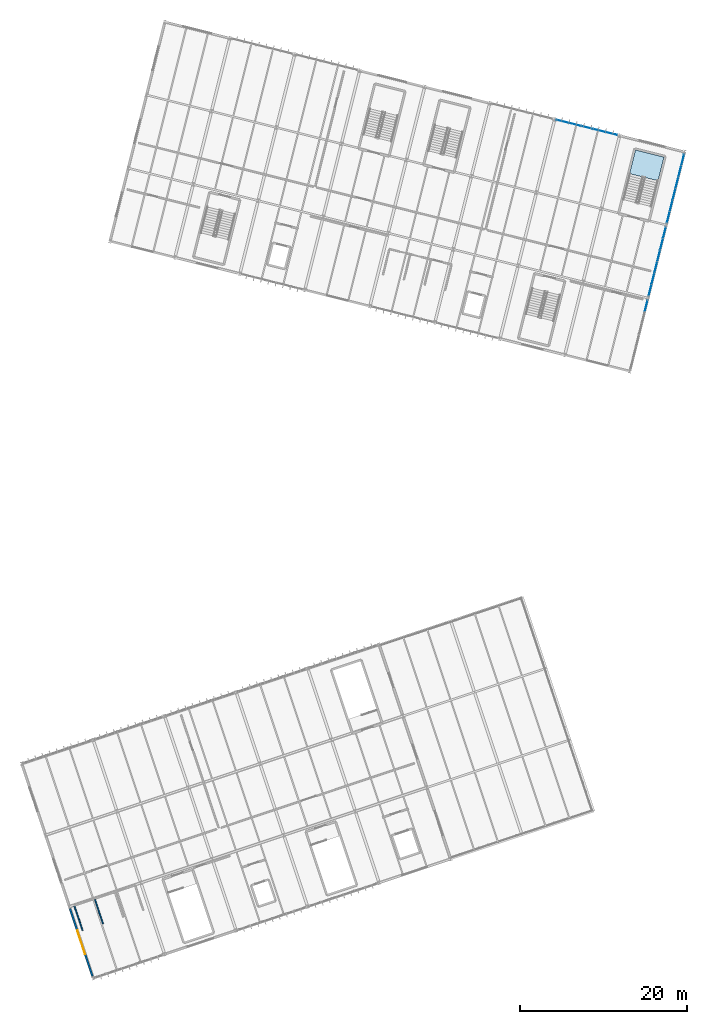
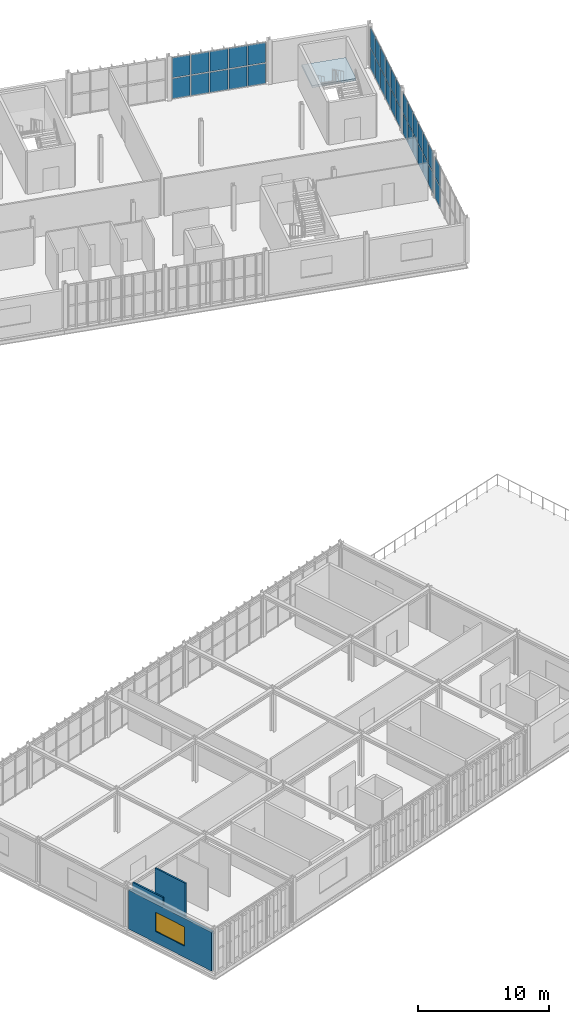
# One storey, part 43 of 61: 36 plates, 3 walls, 1 slab, 1 window, 1 opening, 5 elements without a shape of their own.
"""IFC4 building model written with IfcOpenShell, lengths in metres."""

from ifc_helpers import new_model, si_unit, derived_unit, direction, frame, frame_2d, origin, origin_2d, place, context, subcontext, project, spatial, polyline, rectangle, outline, extrude, material, layer, layer_set, type_object, element, fill, aggregate, save


model = new_model("IFC4")

# Units and contexts
model_context = context("Model", 3, precision=1e-05, world=origin(), true_north=direction((0.0, 1.0)))
body_context = subcontext(model_context, "Body", "Model", "MODEL_VIEW")
ifc_project = project(units=[si_unit("LENGTHUNIT", "METRE"), si_unit("AREAUNIT", "SQUARE_METRE"), si_unit("VOLUMEUNIT", "CUBIC_METRE"), si_unit("PLANEANGLEUNIT", "RADIAN"), si_unit("MASSUNIT", "GRAM", prefix="KILO"), si_unit("THERMODYNAMICTEMPERATUREUNIT", "KELVIN"), si_unit("TIMEUNIT", "SECOND"), derived_unit("THERMALTRANSMITTANCEUNIT", [(si_unit("MASSUNIT", "GRAM", prefix="KILO"), 1), (si_unit("THERMODYNAMICTEMPERATUREUNIT", "KELVIN"), -1), (si_unit("TIMEUNIT", "SECOND"), -3)])], contexts=[model_context])

# Site, building, storey
site_placement = place(None, origin())
site = spatial("IfcSite", under=ifc_project, at=site_placement, CompositionType="ELEMENT")
building_placement = place(site_placement, origin())
building = spatial("IfcBuilding", under=site, at=building_placement, Name="Cambertide Market Hall", CompositionType="ELEMENT")
storey_placement = place(building_placement, frame((0.0, 0.0, 9.89990234375)))
storey = spatial("IfcBuildingStorey", under=building, at=storey_placement, Name="L03", CompositionType="ELEMENT", Elevation=9.89990234375)

# Stair, slab
ifc_material_1 = material(Name="Concrete B35", Category="concrete")
stair_type = type_object("IfcStairType", Name="Concrete Dogleg Stair ST-08B", PredefinedType="HALF_TURN_STAIR", material=ifc_material_1)
stair_placement = place(storey_placement, origin())
stair = element("IfcStair", 1, at=stair_placement, inside=storey, type_object=stair_type, Name="Level 3 Exit Stair Core 08B", PredefinedType="HALF_TURN_STAIR")
ifc_material_2 = material(Name="Concrete B35", Category="concrete")
ifc_layer_1 = layer(ifc_material_2, 0.199951171875, Name="Concrete Stair Half-Landing 200")
ifc_layer_set_1 = layer_set([ifc_layer_1], Name="Concrete B35")
slab_type = type_object("IfcSlabType", Name="Concrete Stair Half-Landing 200", PredefinedType="LANDING", material=ifc_layer_set_1)
slab_placement = place(storey_placement, frame((0.0, 0.0, 1.900146484375)))
slab = element("IfcSlab", 2, at=slab_placement, type_object=slab_type, Name="ST-08B landing 1", PredefinedType="LANDING", context=body_context, shape_type="SweptSolid", body=[
    extrude(outline(polyline([(173.45703125, 107.22607421875), (174.163818359375, 110.05322265625), (170.768310546875, 110.90185546875), (170.0615234375, 108.074951171875), (173.45703125, 107.22607421875)])), origin(), (0.0, 0.0, 1.0), 0.199951171875),
])
aggregate(stair, [slab])

# Curtain wall, plates
ifc_material_3 = material(Name="Marine Anodized Aluminium 6063-T6 AA25", Category="aluminium")
curtain_wall_type = type_object("IfcCurtainWallType", Name="Cooking School Classroom Curtain Wall", PredefinedType="USERDEFINED", material=ifc_material_3)
curtain_wall_1_placement = place(storey_placement, origin())
curtain_wall_1 = element("IfcCurtainWall", 3, at=curtain_wall_1_placement, inside=storey, type_object=curtain_wall_type, Name="Level 3 Curtain Wall CW-V4N-L03-7", ObjectType="UNITIZED CURTAIN WALL", PredefinedType="USERDEFINED")
ifc_material_4 = material(Name="Low-E Laminated Insulated Glass", Category="glass")
ifc_layer_2 = layer(ifc_material_4, 0.028076171875, Name="Vision Insulated Glazing Panel 28")
ifc_layer_set_2 = layer_set([ifc_layer_2], Name="Low-E Laminated Insulated Glass")
plate_type = type_object("IfcPlateType", Name="Vision Insulated Glazing Panel 28", PredefinedType="CURTAIN_PANEL", material=ifc_layer_set_2)
plate_1_placement = place(storey_placement, frame((162.07763671875, 114.3115234375, 0.0400390625), z_axis=(0.0, 0.0, 1.0), x_axis=(0.970142500145, -0.242535625038, 0.0)))
plate_1 = element("IfcPlate", 4, at=plate_1_placement, type_object=plate_type, Name="CW-V4N-L03-7 Glazing Panel 1-1", PredefinedType="CURTAIN_PANEL", context=body_context, shape_type="SweptSolid", body=[
    extrude(rectangle(XDim=1.424072265625, YDim=0.028076171875, at=origin_2d()), origin(), (0.0, 0.0, 1.0), 1.8798828125),
])
plate_2_placement = place(storey_placement, frame((163.536865234375, 113.94677734375, 0.0400390625), z_axis=(0.0, 0.0, 1.0), x_axis=(0.970142500145, -0.242535625038, 0.0)))
plate_2 = element("IfcPlate", 5, at=plate_2_placement, type_object=plate_type, Name="CW-V4N-L03-7 Glazing Panel 1-2", PredefinedType="CURTAIN_PANEL", context=body_context, shape_type="SweptSolid", body=[
    extrude(rectangle(XDim=1.424072265625, YDim=0.028076171875, at=origin_2d()), origin(), (0.0, 0.0, 1.0), 1.8798828125),
])
plate_3_placement = place(storey_placement, frame((164.995849609375, 113.58203125, 0.0400390625), z_axis=(0.0, 0.0, 1.0), x_axis=(0.970142500145, -0.242535625038, 0.0)))
plate_3 = element("IfcPlate", 6, at=plate_3_placement, type_object=plate_type, Name="CW-V4N-L03-7 Glazing Panel 1-3", PredefinedType="CURTAIN_PANEL", context=body_context, shape_type="SweptSolid", body=[
    extrude(rectangle(XDim=1.424072265625, YDim=0.028076171875, at=origin_2d()), origin(), (0.0, 0.0, 1.0), 1.8798828125),
])
plate_4_placement = place(storey_placement, frame((166.455078125, 113.21728515625, 0.0400390625), z_axis=(0.0, 0.0, 1.0), x_axis=(0.970142500145, -0.242535625038, 0.0)))
plate_4 = element("IfcPlate", 7, at=plate_4_placement, type_object=plate_type, Name="CW-V4N-L03-7 Glazing Panel 1-4", PredefinedType="CURTAIN_PANEL", context=body_context, shape_type="SweptSolid", body=[
    extrude(rectangle(XDim=1.424072265625, YDim=0.028076171875, at=origin_2d()), origin(), (0.0, 0.0, 1.0), 1.8798828125),
])
plate_5_placement = place(storey_placement, frame((167.9140625, 112.8525390625, 0.0400390625), z_axis=(0.0, 0.0, 1.0), x_axis=(0.970142500145, -0.242535625038, 0.0)))
plate_5 = element("IfcPlate", 8, at=plate_5_placement, type_object=plate_type, Name="CW-V4N-L03-7 Glazing Panel 1-5", PredefinedType="CURTAIN_PANEL", context=body_context, shape_type="SweptSolid", body=[
    extrude(rectangle(XDim=1.424072265625, YDim=0.028076171875, at=origin_2d()), origin(), (0.0, 0.0, 1.0), 1.8798828125),
])
plate_6_placement = place(storey_placement, frame((162.07763671875, 114.3115234375, 2.000244140625), z_axis=(0.0, 0.0, 1.0), x_axis=(0.970142500145, -0.242535625038, 0.0)))
plate_6 = element("IfcPlate", 9, at=plate_6_placement, type_object=plate_type, Name="CW-V4N-L03-7 Glazing Panel 2-1", PredefinedType="CURTAIN_PANEL", context=body_context, shape_type="SweptSolid", body=[
    extrude(rectangle(XDim=1.424072265625, YDim=0.028076171875, at=origin_2d()), origin(), (0.0, 0.0, 1.0), 1.8798828125),
])
plate_7_placement = place(storey_placement, frame((163.536865234375, 113.94677734375, 2.000244140625), z_axis=(0.0, 0.0, 1.0), x_axis=(0.970142500145, -0.242535625038, 0.0)))
plate_7 = element("IfcPlate", 10, at=plate_7_placement, type_object=plate_type, Name="CW-V4N-L03-7 Glazing Panel 2-2", PredefinedType="CURTAIN_PANEL", context=body_context, shape_type="SweptSolid", body=[
    extrude(rectangle(XDim=1.424072265625, YDim=0.028076171875, at=origin_2d()), origin(), (0.0, 0.0, 1.0), 1.8798828125),
])
plate_8_placement = place(storey_placement, frame((164.995849609375, 113.58203125, 2.000244140625), z_axis=(0.0, 0.0, 1.0), x_axis=(0.970142500145, -0.242535625038, 0.0)))
plate_8 = element("IfcPlate", 11, at=plate_8_placement, type_object=plate_type, Name="CW-V4N-L03-7 Glazing Panel 2-3", PredefinedType="CURTAIN_PANEL", context=body_context, shape_type="SweptSolid", body=[
    extrude(rectangle(XDim=1.424072265625, YDim=0.028076171875, at=origin_2d()), origin(), (0.0, 0.0, 1.0), 1.8798828125),
])
plate_9_placement = place(storey_placement, frame((166.455078125, 113.21728515625, 2.000244140625), z_axis=(0.0, 0.0, 1.0), x_axis=(0.970142500145, -0.242535625038, 0.0)))
plate_9 = element("IfcPlate", 12, at=plate_9_placement, type_object=plate_type, Name="CW-V4N-L03-7 Glazing Panel 2-4", PredefinedType="CURTAIN_PANEL", context=body_context, shape_type="SweptSolid", body=[
    extrude(rectangle(XDim=1.424072265625, YDim=0.028076171875, at=origin_2d()), origin(), (0.0, 0.0, 1.0), 1.8798828125),
])
plate_10_placement = place(storey_placement, frame((167.9140625, 112.8525390625, 2.000244140625), z_axis=(0.0, 0.0, 1.0), x_axis=(0.970142500145, -0.242535625038, 0.0)))
plate_10 = element("IfcPlate", 13, at=plate_10_placement, type_object=plate_type, Name="CW-V4N-L03-7 Glazing Panel 2-5", PredefinedType="CURTAIN_PANEL", context=body_context, shape_type="SweptSolid", body=[
    extrude(rectangle(XDim=1.424072265625, YDim=0.028076171875, at=origin_2d()), origin(), (0.0, 0.0, 1.0), 1.8798828125),
])
aggregate(curtain_wall_1, [plate_1, plate_2, plate_3, plate_4, plate_5, plate_6, plate_7, plate_8, plate_9, plate_10])

curtain_wall_2_placement = place(storey_placement, origin())
curtain_wall_2 = element("IfcCurtainWall", 14, at=curtain_wall_2_placement, inside=storey, type_object=curtain_wall_type, Name="Level 3 Curtain Wall CW-V4E-L03-1", ObjectType="UNITIZED CURTAIN WALL", PredefinedType="USERDEFINED")
plate_11_placement = place(storey_placement, frame((172.04150390625, 92.287353515625, 0.0400390625), z_axis=(0.0, 0.0, 1.0), x_axis=(-0.242535569805, -0.970142513953, 0.0)))
plate_11 = element("IfcPlate", 15, at=plate_11_placement, type_object=plate_type, Name="CW-V4E-L03-1 Glazing Panel 1-1", PredefinedType="CURTAIN_PANEL", context=body_context, shape_type="SweptSolid", body=[
    extrude(rectangle(XDim=1.340087890625, YDim=0.028076171875, at=origin_2d()), origin(), (0.0, 0.0, 1.0), 1.8798828125),
])
plate_12_placement = place(storey_placement, frame((172.04150390625, 92.287353515625, 2.000244140625), z_axis=(0.0, 0.0, 1.0), x_axis=(-0.242535569805, -0.970142513953, 0.0)))
plate_12 = element("IfcPlate", 16, at=plate_12_placement, type_object=plate_type, Name="CW-V4E-L03-1 Glazing Panel 2-1", PredefinedType="CURTAIN_PANEL", context=body_context, shape_type="SweptSolid", body=[
    extrude(rectangle(XDim=1.340087890625, YDim=0.028076171875, at=origin_2d()), origin(), (0.0, 0.0, 1.0), 1.8798828125),
])
aggregate(curtain_wall_2, [plate_11, plate_12])

curtain_wall_3_placement = place(storey_placement, origin())
curtain_wall_3 = element("IfcCurtainWall", 17, at=curtain_wall_3_placement, inside=storey, type_object=curtain_wall_type, Name="Level 3 Curtain Wall CW-V4E-L03-2", ObjectType="UNITIZED CURTAIN WALL", PredefinedType="USERDEFINED")
plate_13_placement = place(storey_placement, frame((174.224365234375, 101.0185546875, 0.0400390625), z_axis=(0.0, 0.0, 1.0), x_axis=(-0.24253568027, -0.970142486337, 0.0)))
plate_13 = element("IfcPlate", 18, at=plate_13_placement, type_object=plate_type, Name="CW-V4E-L03-2 Glazing Panel 1-1", PredefinedType="CURTAIN_PANEL", context=body_context, shape_type="SweptSolid", body=[
    extrude(rectangle(XDim=1.340087890625, YDim=0.028076171875, at=origin_2d()), origin(), (0.0, 0.0, 1.0), 1.8798828125),
])
plate_14_placement = place(storey_placement, frame((173.8798828125, 99.64111328125, 0.0400390625), z_axis=(0.0, 0.0, 1.0), x_axis=(-0.24253568027, -0.970142486337, 0.0)))
plate_14 = element("IfcPlate", 19, at=plate_14_placement, type_object=plate_type, Name="CW-V4E-L03-2 Glazing Panel 1-2", PredefinedType="CURTAIN_PANEL", context=body_context, shape_type="SweptSolid", body=[
    extrude(rectangle(XDim=1.340087890625, YDim=0.028076171875, at=origin_2d()), origin(), (0.0, 0.0, 1.0), 1.8798828125),
])
plate_15_placement = place(storey_placement, frame((173.53564453125, 98.263427734375, 0.0400390625), z_axis=(0.0, 0.0, 1.0), x_axis=(-0.24253568027, -0.970142486337, 0.0)))
plate_15 = element("IfcPlate", 20, at=plate_15_placement, type_object=plate_type, Name="CW-V4E-L03-2 Glazing Panel 1-3", PredefinedType="CURTAIN_PANEL", context=body_context, shape_type="SweptSolid", body=[
    extrude(rectangle(XDim=1.340087890625, YDim=0.028076171875, at=origin_2d()), origin(), (0.0, 0.0, 1.0), 1.8798828125),
])
plate_16_placement = place(storey_placement, frame((173.191162109375, 96.8857421875, 0.0400390625), z_axis=(0.0, 0.0, 1.0), x_axis=(-0.24253568027, -0.970142486337, 0.0)))
plate_16 = element("IfcPlate", 21, at=plate_16_placement, type_object=plate_type, Name="CW-V4E-L03-2 Glazing Panel 1-4", PredefinedType="CURTAIN_PANEL", context=body_context, shape_type="SweptSolid", body=[
    extrude(rectangle(XDim=1.340087890625, YDim=0.028076171875, at=origin_2d()), origin(), (0.0, 0.0, 1.0), 1.8798828125),
])
plate_17_placement = place(storey_placement, frame((172.8466796875, 95.50830078125, 0.0400390625), z_axis=(0.0, 0.0, 1.0), x_axis=(-0.24253568027, -0.970142486337, 0.0)))
plate_17 = element("IfcPlate", 22, at=plate_17_placement, type_object=plate_type, Name="CW-V4E-L03-2 Glazing Panel 1-5", PredefinedType="CURTAIN_PANEL", context=body_context, shape_type="SweptSolid", body=[
    extrude(rectangle(XDim=1.340087890625, YDim=0.028076171875, at=origin_2d()), origin(), (0.0, 0.0, 1.0), 1.8798828125),
])
plate_18_placement = place(storey_placement, frame((172.50244140625, 94.130615234375, 0.0400390625), z_axis=(0.0, 0.0, 1.0), x_axis=(-0.24253568027, -0.970142486337, 0.0)))
plate_18 = element("IfcPlate", 23, at=plate_18_placement, type_object=plate_type, Name="CW-V4E-L03-2 Glazing Panel 1-6", PredefinedType="CURTAIN_PANEL", context=body_context, shape_type="SweptSolid", body=[
    extrude(rectangle(XDim=1.340087890625, YDim=0.028076171875, at=origin_2d()), origin(), (0.0, 0.0, 1.0), 1.8798828125),
])
plate_19_placement = place(storey_placement, frame((174.224365234375, 101.0185546875, 2.000244140625), z_axis=(0.0, 0.0, 1.0), x_axis=(-0.24253568027, -0.970142486337, 0.0)))
plate_19 = element("IfcPlate", 24, at=plate_19_placement, type_object=plate_type, Name="CW-V4E-L03-2 Glazing Panel 2-1", PredefinedType="CURTAIN_PANEL", context=body_context, shape_type="SweptSolid", body=[
    extrude(rectangle(XDim=1.340087890625, YDim=0.028076171875, at=origin_2d()), origin(), (0.0, 0.0, 1.0), 1.8798828125),
])
plate_20_placement = place(storey_placement, frame((173.8798828125, 99.64111328125, 2.000244140625), z_axis=(0.0, 0.0, 1.0), x_axis=(-0.24253568027, -0.970142486337, 0.0)))
plate_20 = element("IfcPlate", 25, at=plate_20_placement, type_object=plate_type, Name="CW-V4E-L03-2 Glazing Panel 2-2", PredefinedType="CURTAIN_PANEL", context=body_context, shape_type="SweptSolid", body=[
    extrude(rectangle(XDim=1.340087890625, YDim=0.028076171875, at=origin_2d()), origin(), (0.0, 0.0, 1.0), 1.8798828125),
])
plate_21_placement = place(storey_placement, frame((173.53564453125, 98.263427734375, 2.000244140625), z_axis=(0.0, 0.0, 1.0), x_axis=(-0.24253568027, -0.970142486337, 0.0)))
plate_21 = element("IfcPlate", 26, at=plate_21_placement, type_object=plate_type, Name="CW-V4E-L03-2 Glazing Panel 2-3", PredefinedType="CURTAIN_PANEL", context=body_context, shape_type="SweptSolid", body=[
    extrude(rectangle(XDim=1.340087890625, YDim=0.028076171875, at=origin_2d()), origin(), (0.0, 0.0, 1.0), 1.8798828125),
])
plate_22_placement = place(storey_placement, frame((173.191162109375, 96.8857421875, 2.000244140625), z_axis=(0.0, 0.0, 1.0), x_axis=(-0.24253568027, -0.970142486337, 0.0)))
plate_22 = element("IfcPlate", 27, at=plate_22_placement, type_object=plate_type, Name="CW-V4E-L03-2 Glazing Panel 2-4", PredefinedType="CURTAIN_PANEL", context=body_context, shape_type="SweptSolid", body=[
    extrude(rectangle(XDim=1.340087890625, YDim=0.028076171875, at=origin_2d()), origin(), (0.0, 0.0, 1.0), 1.8798828125),
])
plate_23_placement = place(storey_placement, frame((172.8466796875, 95.50830078125, 2.000244140625), z_axis=(0.0, 0.0, 1.0), x_axis=(-0.24253568027, -0.970142486337, 0.0)))
plate_23 = element("IfcPlate", 28, at=plate_23_placement, type_object=plate_type, Name="CW-V4E-L03-2 Glazing Panel 2-5", PredefinedType="CURTAIN_PANEL", context=body_context, shape_type="SweptSolid", body=[
    extrude(rectangle(XDim=1.340087890625, YDim=0.028076171875, at=origin_2d()), origin(), (0.0, 0.0, 1.0), 1.8798828125),
])
plate_24_placement = place(storey_placement, frame((172.50244140625, 94.130615234375, 2.000244140625), z_axis=(0.0, 0.0, 1.0), x_axis=(-0.24253568027, -0.970142486337, 0.0)))
plate_24 = element("IfcPlate", 29, at=plate_24_placement, type_object=plate_type, Name="CW-V4E-L03-2 Glazing Panel 2-6", PredefinedType="CURTAIN_PANEL", context=body_context, shape_type="SweptSolid", body=[
    extrude(rectangle(XDim=1.340087890625, YDim=0.028076171875, at=origin_2d()), origin(), (0.0, 0.0, 1.0), 1.8798828125),
])
aggregate(curtain_wall_3, [plate_13, plate_14, plate_15, plate_16, plate_17, plate_18, plate_19, plate_20, plate_21, plate_22, plate_23, plate_24])

curtain_wall_4_placement = place(storey_placement, origin())
curtain_wall_4 = element("IfcCurtainWall", 30, at=curtain_wall_4_placement, inside=storey, type_object=curtain_wall_type, Name="Level 3 Curtain Wall CW-V4E-L03-3", ObjectType="UNITIZED CURTAIN WALL", PredefinedType="USERDEFINED")
plate_25_placement = place(storey_placement, frame((176.4072265625, 109.75, 0.0400390625), z_axis=(0.0, 0.0, 1.0), x_axis=(-0.242535569805, -0.970142513953, 0.0)))
plate_25 = element("IfcPlate", 31, at=plate_25_placement, type_object=plate_type, Name="CW-V4E-L03-3 Glazing Panel 1-1", PredefinedType="CURTAIN_PANEL", context=body_context, shape_type="SweptSolid", body=[
    extrude(rectangle(XDim=1.340087890625, YDim=0.028076171875, at=origin_2d()), origin(), (0.0, 0.0, 1.0), 1.8798828125),
])
plate_26_placement = place(storey_placement, frame((176.062744140625, 108.372314453125, 0.0400390625), z_axis=(0.0, 0.0, 1.0), x_axis=(-0.242535569805, -0.970142513953, 0.0)))
plate_26 = element("IfcPlate", 32, at=plate_26_placement, type_object=plate_type, Name="CW-V4E-L03-3 Glazing Panel 1-2", PredefinedType="CURTAIN_PANEL", context=body_context, shape_type="SweptSolid", body=[
    extrude(rectangle(XDim=1.340087890625, YDim=0.028076171875, at=origin_2d()), origin(), (0.0, 0.0, 1.0), 1.8798828125),
])
plate_27_placement = place(storey_placement, frame((175.71826171875, 106.99462890625, 0.0400390625), z_axis=(0.0, 0.0, 1.0), x_axis=(-0.242535569805, -0.970142513953, 0.0)))
plate_27 = element("IfcPlate", 33, at=plate_27_placement, type_object=plate_type, Name="CW-V4E-L03-3 Glazing Panel 1-3", PredefinedType="CURTAIN_PANEL", context=body_context, shape_type="SweptSolid", body=[
    extrude(rectangle(XDim=1.340087890625, YDim=0.028076171875, at=origin_2d()), origin(), (0.0, 0.0, 1.0), 1.8798828125),
])
plate_28_placement = place(storey_placement, frame((175.3740234375, 105.6171875, 0.0400390625), z_axis=(0.0, 0.0, 1.0), x_axis=(-0.242535569805, -0.970142513953, 0.0)))
plate_28 = element("IfcPlate", 34, at=plate_28_placement, type_object=plate_type, Name="CW-V4E-L03-3 Glazing Panel 1-4", PredefinedType="CURTAIN_PANEL", context=body_context, shape_type="SweptSolid", body=[
    extrude(rectangle(XDim=1.340087890625, YDim=0.028076171875, at=origin_2d()), origin(), (0.0, 0.0, 1.0), 1.8798828125),
])
plate_29_placement = place(storey_placement, frame((175.029541015625, 104.239501953125, 0.0400390625), z_axis=(0.0, 0.0, 1.0), x_axis=(-0.242535569805, -0.970142513953, 0.0)))
plate_29 = element("IfcPlate", 35, at=plate_29_placement, type_object=plate_type, Name="CW-V4E-L03-3 Glazing Panel 1-5", PredefinedType="CURTAIN_PANEL", context=body_context, shape_type="SweptSolid", body=[
    extrude(rectangle(XDim=1.340087890625, YDim=0.028076171875, at=origin_2d()), origin(), (0.0, 0.0, 1.0), 1.8798828125),
])
plate_30_placement = place(storey_placement, frame((174.68505859375, 102.86181640625, 0.0400390625), z_axis=(0.0, 0.0, 1.0), x_axis=(-0.242535569805, -0.970142513953, 0.0)))
plate_30 = element("IfcPlate", 36, at=plate_30_placement, type_object=plate_type, Name="CW-V4E-L03-3 Glazing Panel 1-6", PredefinedType="CURTAIN_PANEL", context=body_context, shape_type="SweptSolid", body=[
    extrude(rectangle(XDim=1.340087890625, YDim=0.028076171875, at=origin_2d()), origin(), (0.0, 0.0, 1.0), 1.8798828125),
])
plate_31_placement = place(storey_placement, frame((176.4072265625, 109.75, 2.000244140625), z_axis=(0.0, 0.0, 1.0), x_axis=(-0.242535569805, -0.970142513953, 0.0)))
plate_31 = element("IfcPlate", 37, at=plate_31_placement, type_object=plate_type, Name="CW-V4E-L03-3 Glazing Panel 2-1", PredefinedType="CURTAIN_PANEL", context=body_context, shape_type="SweptSolid", body=[
    extrude(rectangle(XDim=1.340087890625, YDim=0.028076171875, at=origin_2d()), origin(), (0.0, 0.0, 1.0), 1.8798828125),
])
plate_32_placement = place(storey_placement, frame((176.062744140625, 108.372314453125, 2.000244140625), z_axis=(0.0, 0.0, 1.0), x_axis=(-0.242535569805, -0.970142513953, 0.0)))
plate_32 = element("IfcPlate", 38, at=plate_32_placement, type_object=plate_type, Name="CW-V4E-L03-3 Glazing Panel 2-2", PredefinedType="CURTAIN_PANEL", context=body_context, shape_type="SweptSolid", body=[
    extrude(rectangle(XDim=1.340087890625, YDim=0.028076171875, at=origin_2d()), origin(), (0.0, 0.0, 1.0), 1.8798828125),
])
plate_33_placement = place(storey_placement, frame((175.71826171875, 106.99462890625, 2.000244140625), z_axis=(0.0, 0.0, 1.0), x_axis=(-0.242535569805, -0.970142513953, 0.0)))
plate_33 = element("IfcPlate", 39, at=plate_33_placement, type_object=plate_type, Name="CW-V4E-L03-3 Glazing Panel 2-3", PredefinedType="CURTAIN_PANEL", context=body_context, shape_type="SweptSolid", body=[
    extrude(rectangle(XDim=1.340087890625, YDim=0.028076171875, at=origin_2d()), origin(), (0.0, 0.0, 1.0), 1.8798828125),
])
plate_34_placement = place(storey_placement, frame((175.3740234375, 105.6171875, 2.000244140625), z_axis=(0.0, 0.0, 1.0), x_axis=(-0.242535569805, -0.970142513953, 0.0)))
plate_34 = element("IfcPlate", 40, at=plate_34_placement, type_object=plate_type, Name="CW-V4E-L03-3 Glazing Panel 2-4", PredefinedType="CURTAIN_PANEL", context=body_context, shape_type="SweptSolid", body=[
    extrude(rectangle(XDim=1.340087890625, YDim=0.028076171875, at=origin_2d()), origin(), (0.0, 0.0, 1.0), 1.8798828125),
])
plate_35_placement = place(storey_placement, frame((175.029541015625, 104.239501953125, 2.000244140625), z_axis=(0.0, 0.0, 1.0), x_axis=(-0.242535569805, -0.970142513953, 0.0)))
plate_35 = element("IfcPlate", 41, at=plate_35_placement, type_object=plate_type, Name="CW-V4E-L03-3 Glazing Panel 2-5", PredefinedType="CURTAIN_PANEL", context=body_context, shape_type="SweptSolid", body=[
    extrude(rectangle(XDim=1.340087890625, YDim=0.028076171875, at=origin_2d()), origin(), (0.0, 0.0, 1.0), 1.8798828125),
])
plate_36_placement = place(storey_placement, frame((174.68505859375, 102.86181640625, 2.000244140625), z_axis=(0.0, 0.0, 1.0), x_axis=(-0.242535569805, -0.970142513953, 0.0)))
plate_36 = element("IfcPlate", 42, at=plate_36_placement, type_object=plate_type, Name="CW-V4E-L03-3 Glazing Panel 2-6", PredefinedType="CURTAIN_PANEL", context=body_context, shape_type="SweptSolid", body=[
    extrude(rectangle(XDim=1.340087890625, YDim=0.028076171875, at=origin_2d()), origin(), (0.0, 0.0, 1.0), 1.8798828125),
])
aggregate(curtain_wall_4, [plate_25, plate_26, plate_27, plate_28, plate_29, plate_30, plate_31, plate_32, plate_33, plate_34, plate_35, plate_36])

# Wall, opening, window
ifc_material_5 = material(Name="Autoclaved Aerated Concrete Blockwork M7.5", Category="masonry")
ifc_layer_3 = layer(ifc_material_5, 0.235107421875, Name="Food Court Acoustic Facade Wall 235")
ifc_layer_set_3 = layer_set([ifc_layer_3], Name="Autoclaved Aerated Concrete Blockwork M7.5")
wall_type_1 = type_object("IfcWallType", Name="Food Court Acoustic Facade Wall 235", PredefinedType="SOLIDWALL", material=ifc_layer_set_3)
wall_placement = place(storey_placement, frame((105.924072265625, 12.227783203125, 0.0), z_axis=(0.0, 0.0, 1.0), x_axis=(-0.316236362498, 0.948680432514, 0.0)))
wall = element("IfcWall", 43, at=wall_placement, inside=storey, type_object=wall_type_1, Name="Level 3 Exterior Wall EW-L03-V3W-1", PredefinedType="SOLIDWALL", context=body_context, shape_type="SweptSolid", body=[
    extrude(rectangle(XDim=8.52001953125, YDim=0.235107421875, at=frame_2d((4.260009765625, 0.0))), origin(), (0.0, 0.0, 1.0), 3.64013671875),
])
opening_placement = place(wall_placement, frame((2.760009765625, 0.0, 1.050048828125)))
opening = element("IfcOpeningElement", 44, at=opening_placement, cuts=wall, Name="Opening WN-04", PredefinedType="OPENING", context=body_context, shape_type="SweptSolid", body=[
    extrude(rectangle(XDim=3.0, YDim=1.800048828125, at=frame_2d((1.5, 0.89990234375))), frame((0.0, 0.12744140625, 0.0), z_axis=(0.0, -1.0, 0.0), x_axis=(1.0, 0.0, 0.0)), (0.0, 0.0, 1.0), 0.255126953125),
])
ifc_material_6 = material(Name="Low-E Laminated Insulated Glass", Category="glass")
window_type = type_object("IfcWindowType", Name="Hawker Hall Louvered Window 3000x1800", PartitioningType="SINGLE_PANEL", PredefinedType="WINDOW", material=ifc_material_6)
window_placement = place(opening_placement, origin())
window = element("IfcWindow", 45, at=window_placement, inside=storey, type_object=window_type, Name="Level 3 Window EW-L03-V3W-1-WN", OverallHeight=1.800048828125, OverallWidth=3.0, PartitioningType="SINGLE_PANEL", PredefinedType="WINDOW", context=body_context, shape_type="SweptSolid", body=[
    extrude(rectangle(XDim=3.0, YDim=1.800048828125, at=frame_2d((1.5, 0.89990234375))), frame((0.0, 0.030029296875, 0.0), z_axis=(0.0, -1.0, 0.0), x_axis=(1.0, 0.0, 0.0)), (0.0, 0.0, 1.0), 0.06005859375),
])
fill(opening, window)

# Walls
ifc_material_7 = material(Name="Autoclaved Aerated Concrete Blockwork M7.5", Category="masonry")
ifc_layer_4 = layer(ifc_material_7, 0.139892578125, Name="Sanitary & Wet-Area Masonry Partition 140")
ifc_layer_set_4 = layer_set([ifc_layer_4], Name="Autoclaved Aerated Concrete Blockwork M7.5")
wall_type_2 = type_object("IfcWallType", Name="Sanitary & Wet-Area Masonry Partition 140", PredefinedType="PARTITIONING", material=ifc_layer_set_4)
for number, where, z_axis, x_axis, name in (
    (46, (107.173095703125, 18.5048828125, 0.0), (0.0, 0.0, 1.0), (-0.316204139208, 0.948691173326, 0.0), "Level 3 Interior Wall WCW-L03-L03A-D1"),
    (47, (104.735107421875, 17.692138671875, 0.0), (0.0, 0.0, 1.0), (-0.316204139208, 0.948691173326, 0.0), "Level 3 Interior Wall WCW-L03-L03A-L"),
):
    element("IfcWall", number, at=place(storey_placement, frame(where, z_axis=z_axis, x_axis=x_axis)), inside=storey, type_object=wall_type_2, Name=name, PredefinedType="PARTITIONING", context=body_context, shape_type="SweptSolid", body=[
        extrude(rectangle(XDim=3.099853515625, YDim=0.139892578125, at=frame_2d((1.5498046875, 0.0))), origin(), (0.0, 0.0, 1.0), 3.940185546875),
    ])

save(model, "model.ifc")
